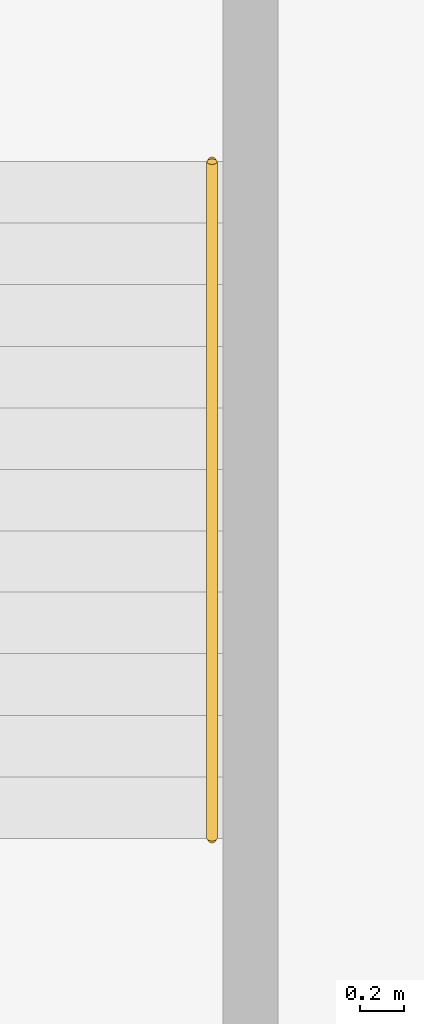
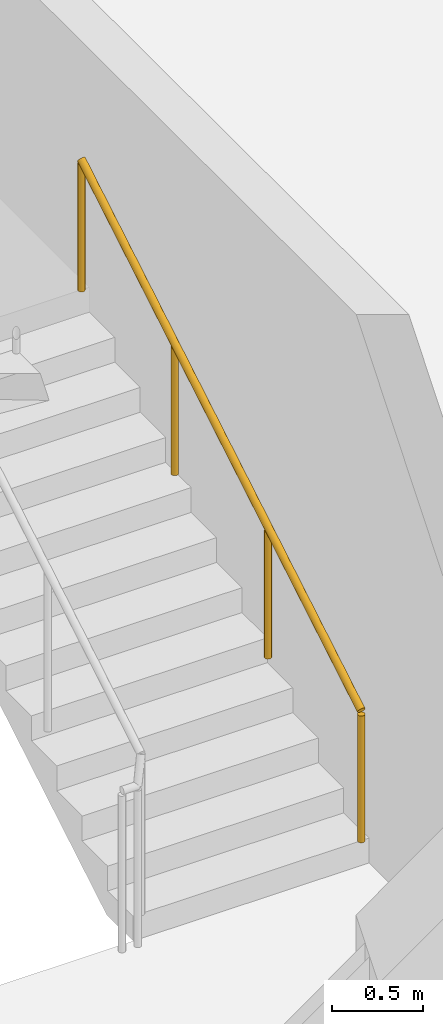
# One storey, part 23 of 23: 1 railing.
"""IFC4 building model written with IfcOpenShell, lengths in metres."""

from ifc_helpers import new_model, si_unit, direction, frame, origin, origin_2d, place, context, subcontext, project, spatial, circle, extrude, material, type_object, element, save


model = new_model("IFC4")

# Units and contexts
model_context = context("Model", 3, precision=1e-05, world=origin(), true_north=direction((0.0, 1.0)))
body_context = subcontext(model_context, "Body", "Model", "MODEL_VIEW")
ifc_project = project(units=[si_unit("LENGTHUNIT", "METRE"), si_unit("AREAUNIT", "SQUARE_METRE"), si_unit("VOLUMEUNIT", "CUBIC_METRE"), si_unit("PLANEANGLEUNIT", "RADIAN"), si_unit("MASSUNIT", "GRAM", prefix="KILO")], contexts=[model_context])

# Site, building, storey
site_placement = place(None, origin())
site = spatial("IfcSite", under=ifc_project, at=site_placement, CompositionType="ELEMENT")
building_placement = place(site_placement, origin())
building = spatial("IfcBuilding", under=site, at=building_placement, Name="Kilnfold Tower and Market Hall", CompositionType="ELEMENT")
storey_placement = place(building_placement, frame((0.0, 0.0, 55.0)))
storey = spatial("IfcBuildingStorey", under=building, at=storey_placement, Name="L12", CompositionType="ELEMENT", Elevation=55.0)

# Railing
ifc_material = material(Name="Stainless steel 316", Category="steel")
railing_type = type_object("IfcRailingType", Name="CORE STAIR HANDRAIL 900", PredefinedType="HANDRAIL", material=ifc_material)
railing_placement = place(storey_placement, frame((21.39990234375, 11.5, 0.166748046875)))
element("IfcRailing", 1, at=railing_placement, inside=storey, type_object=railing_type, Name="L12 ST5 stair handrail 1", PredefinedType="HANDRAIL", context=body_context, shape_type="SweptSolid", body=[
    extrude(circle(Radius=0.02392578125, at=origin_2d()), frame((0.0, 0.0, 0.8759765625), z_axis=(0.0, 0.859308565015, 0.511457515432), x_axis=(-1.0, 0.0, 0.0)), (0.0, 0.0, 1.0), 3.58447265625),
    extrude(circle(Radius=0.02099609375, at=origin_2d()), origin(), (0.0, 0.0, 1.0), 0.851806640625),
    extrude(circle(Radius=0.02099609375, at=origin_2d()), frame((0.0, 1.026611328125, 0.611083984375)), (0.0, 0.0, 1.0), 0.851806640625),
    extrude(circle(Radius=0.02099609375, at=origin_2d()), frame((0.0, 2.053466796875, 1.22216796875)), (0.0, 0.0, 1.0), 0.851806640625),
    extrude(circle(Radius=0.02099609375, at=origin_2d()), frame((0.0, 3.080078125, 1.833251953125)), (0.0, 0.0, 1.0), 0.851806640625),
])

save(model, "model.ifc")
